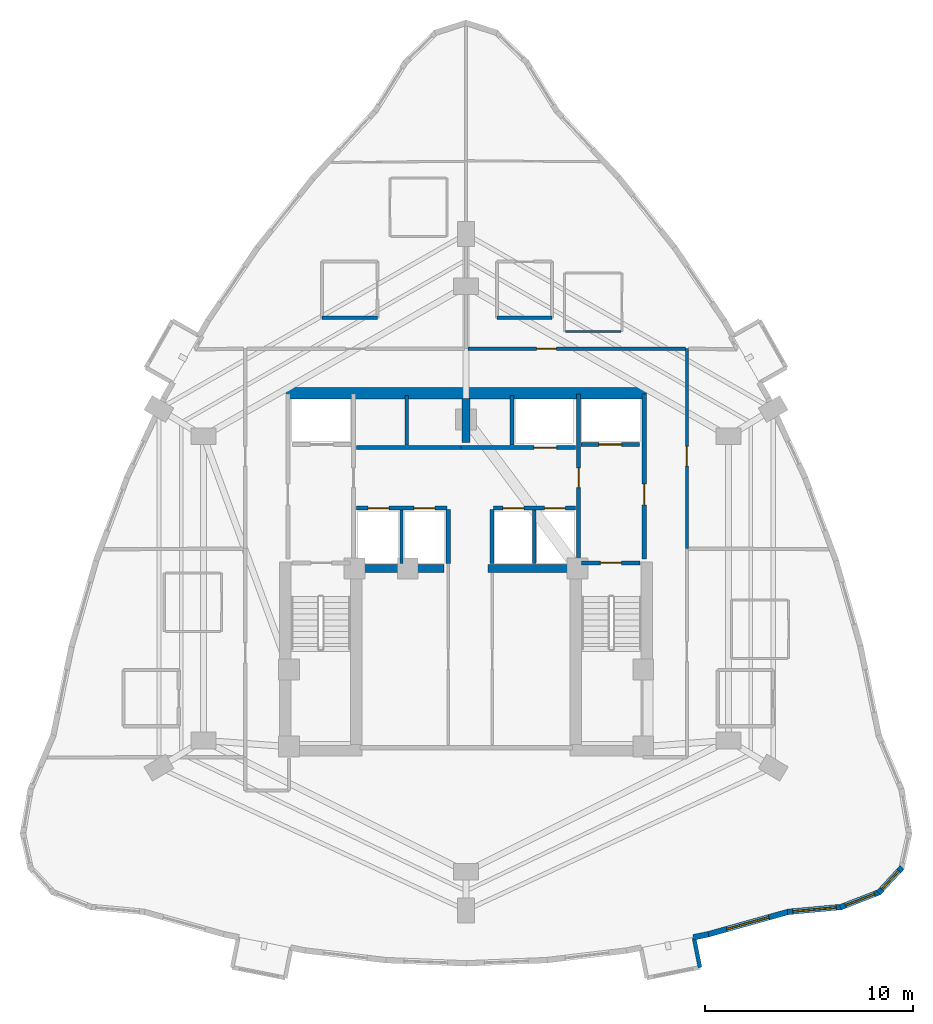
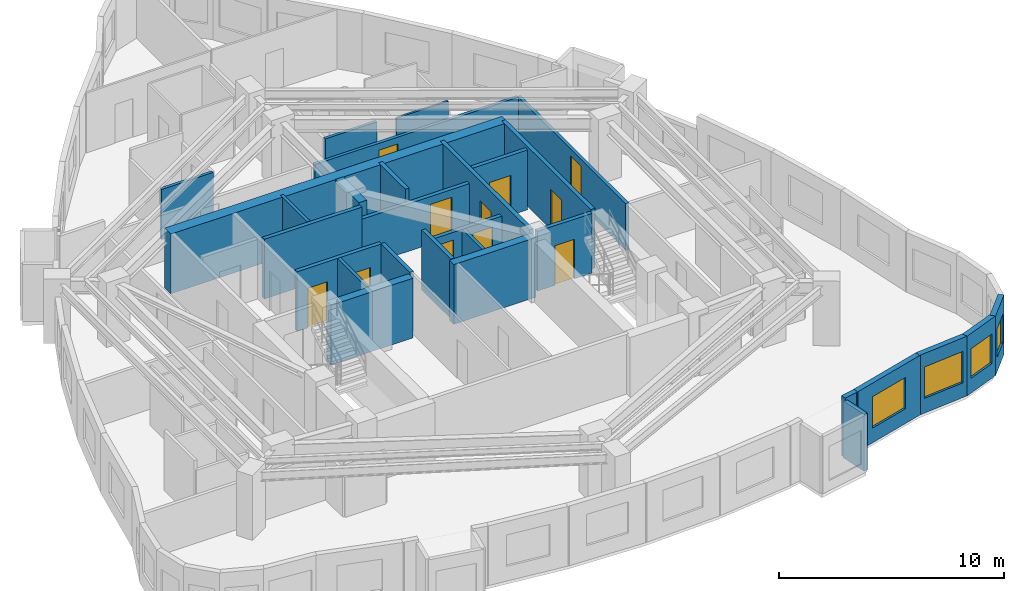
# One storey, part 7 of 10: 29 walls, 11 doors, 4 windows, 15 openings.
"""IFC4 building model written with IfcOpenShell, lengths in metres."""

from ifc_helpers import new_model, si_unit, direction, frame, frame_2d, origin, place, context, subcontext, project, spatial, rectangle, extrude, material, layer, layer_set, type_object, element, fill, save


model = new_model("IFC4")

# Units and contexts
model_context = context("Model", 3, precision=1e-05, world=origin(), true_north=direction((0.0, 1.0)))
body_context = subcontext(model_context, "Body", "Model", "MODEL_VIEW")
ifc_project = project(units=[si_unit("LENGTHUNIT", "METRE"), si_unit("AREAUNIT", "SQUARE_METRE"), si_unit("VOLUMEUNIT", "CUBIC_METRE"), si_unit("PLANEANGLEUNIT", "RADIAN"), si_unit("MASSUNIT", "GRAM", prefix="KILO")], contexts=[model_context])

# Site, building, storey
site_placement = place(None, origin())
site = spatial("IfcSite", under=ifc_project, at=site_placement, CompositionType="ELEMENT")
building_placement = place(site_placement, origin())
building = spatial("IfcBuilding", under=site, at=building_placement, Name="Miruveldt Soraemaru", CompositionType="ELEMENT")
storey_placement = place(building_placement, frame((0.0, 0.0, 166.89990234375)))
storey = spatial("IfcBuildingStorey", under=building, at=storey_placement, Name="L46", CompositionType="ELEMENT", Elevation=166.89990234375)

# Walls
ifc_material_1 = material(Name="White powder-coated aluminium EN AW-6060 T6", Category="aluminium")
ifc_layer_1 = layer(ifc_material_1, 0.18994140625, Name="White powder-coated aluminium EN AW-6060 T6", Category="aluminium")
ifc_layer_set_1 = layer_set([ifc_layer_1], Name="White powder-coated aluminium EN AW-6060 T6")
wall_type_1 = type_object("IfcWallType", Name="WALL-BAY-ALU190", PredefinedType="SOLIDWALL", material=ifc_layer_set_1)
wall_1_placement = place(storey_placement, frame((55.22412109375, 24.906005859375, 0.0), z_axis=(0.0, 0.0, 1.0), x_axis=(-0.196017281962, 0.980600441144, 0.0)))
element("IfcWall", 1, at=wall_1_placement, inside=storey, type_object=wall_type_1, Name="L46 Bay Window Side Cheek 3R", PredefinedType="SOLIDWALL", context=body_context, shape_type="SweptSolid", body=[
    extrude(rectangle(XDim=1.4248046875, YDim=0.18994140625, at=frame_2d((0.71240234375, 0.0))), origin(), (0.0, 0.0, 1.0), 3.085205078125),
])
ifc_material_2 = material(Name="Concrete C70/85 (70 MPa)", Category="concrete")
ifc_layer_2 = layer(ifc_material_2, 0.5, Name="Concrete C70/85 (70 MPa)", Category="concrete")
ifc_layer_set_2 = layer_set([ifc_layer_2], Name="Concrete C70/85 (70 MPa)")
wall_type_2 = type_object("IfcWallType", Name="WALL-BW-500", PredefinedType="SHEAR", material=ifc_layer_set_2)
wall_2_placement = place(storey_placement, frame((44.0, 50.10009765625, 0.0), z_axis=(0.0, 0.0, 1.0), x_axis=(0.0, 1.0, 0.0)))
element("IfcWall", 2, at=wall_2_placement, inside=storey, type_object=wall_type_2, Name="L46 Core Buttress Shear Wall BN", PredefinedType="SHEAR", context=body_context, shape_type="SweptSolid", body=[
    extrude(rectangle(XDim=2.099853515625, YDim=0.39990234375, at=frame_2d((1.0498046875, 0.0))), origin(), (0.0, 0.0, 1.0), 3.235107421875),
])
for number, where, z_axis, x_axis, name in (
    (3, (38.75, 44.050048828125, 0.0), (0.0, 0.0, 1.0), (1.0, 0.0, 0.0), "L46 Core Buttress Shear Wall BW"),
    (4, (45.050048828125, 44.050048828125, 0.0), (0.0, 0.0, 1.0), (1.0, 0.0, 0.0), "L46 Core Buttress Shear Wall BE"),
):
    element("IfcWall", number, at=place(storey_placement, frame(where, z_axis=z_axis, x_axis=x_axis)), inside=storey, type_object=wall_type_2, Name=name, PredefinedType="SHEAR", context=body_context, shape_type="SweptSolid", body=[
        extrude(rectangle(XDim=4.199951171875, YDim=0.39990234375, at=frame_2d((2.10009765625, 0.0))), origin(), (0.0, 0.0, 1.0), 3.235107421875),
    ])
ifc_layer_3 = layer(ifc_material_2, 0.550048828125, Name="Concrete C70/85 (70 MPa)", Category="concrete")
ifc_layer_set_3 = layer_set([ifc_layer_3], Name="Concrete C70/85 (70 MPa)")
wall_type_3 = type_object("IfcWallType", Name="WALL-CW-550", PredefinedType="SHEAR", material=ifc_layer_set_3)
wall_3_placement = place(storey_placement, frame((35.35009765625, 52.449951171875, 0.0), z_axis=(0.0, 0.0, 1.0), x_axis=(1.0, 0.0, 0.0)))
element("IfcWall", 5, at=wall_3_placement, inside=storey, type_object=wall_type_3, Name="L46 Central Core Shear Wall N", PredefinedType="SHEAR", context=body_context, shape_type="SweptSolid", body=[
    extrude(rectangle(XDim=17.2998046875, YDim=0.550048828125, at=frame_2d((8.64990234375, 0.0))), origin(), (0.0, 0.0, 1.0), 3.235107421875),
])
ifc_material_3 = material(Name="Precast concrete C45/55 (45 MPa)", Category="concrete")
ifc_layer_4 = layer(ifc_material_3, 0.27001953125, Name="Precast concrete C45/55 (45 MPa)", Category="concrete")
ifc_layer_set_4 = layer_set([ifc_layer_4], Name="Precast concrete C45/55 (45 MPa)")
wall_type_4 = type_object("IfcWallType", Name="WALL-EXT-PC270", PredefinedType="SOLIDWALL", material=ifc_layer_set_4)
wall_4_placement = place(storey_placement, frame((54.904541015625, 26.351318359375, 0.0), z_axis=(0.0, 0.0, 1.0), x_axis=(0.980555124768, 0.196243846508, 0.0)))
element("IfcWall", 6, at=wall_4_placement, inside=storey, type_object=wall_type_4, Name="L46 Precast Pier Wall 27B", PredefinedType="SOLIDWALL", context=body_context, shape_type="SweptSolid", body=[
    extrude(rectangle(XDim=0.7353515625, YDim=0.27001953125, at=frame_2d((0.36767578125, 0.0))), origin(), (0.0, 0.0, 1.0), 3.235107421875),
])

# Wall, opening, window
wall_5_placement = place(storey_placement, frame((55.557373046875, 26.479248046875, 0.0), z_axis=(0.0, 0.0, 1.0), x_axis=(0.962968367647, 0.269614396705, 0.0)))
wall_5 = element("IfcWall", 7, at=wall_5_placement, inside=storey, type_object=wall_type_4, Name="L46 Precast Concrete Facade Wall 28", PredefinedType="SOLIDWALL", context=body_context, shape_type="SweptSolid", body=[
    extrude(rectangle(XDim=4.08203125, YDim=0.27001953125, at=frame_2d((2.041015625, 0.0))), origin(), (0.0, 0.0, 1.0), 3.235107421875),
])
opening_1_placement = place(wall_5_placement, frame((0.990966796875, 0.0, 0.800048828125)))
opening_1 = element("IfcOpeningElement", 8, at=opening_1_placement, cuts=wall_5, Name="Opening WN-1", PredefinedType="OPENING", context=body_context, shape_type="SweptSolid", body=[
    extrude(rectangle(XDim=2.10009765625, YDim=1.699951171875, at=frame_2d((1.050048828125, 0.85009765625))), frame((0.0, 0.14501953125, 0.0), z_axis=(0.0, -1.0, 0.0), x_axis=(1.0, 0.0, 0.0)), (0.0, 0.0, 1.0), 0.2900390625),
])
ifc_material_4 = material(Name="Triple low-e insulated glazing", Category="glass")
window_type_1 = type_object("IfcWindowType", Name="WIN-PUNCH-2100x1700", PartitioningType="SINGLE_PANEL", PredefinedType="WINDOW", material=ifc_material_4)
window_1_placement = place(opening_1_placement, origin())
window_1 = element("IfcWindow", 9, at=window_1_placement, inside=storey, type_object=window_type_1, Name="L46 Punched Triple-Glazed Window 28.1", OverallHeight=1.699951171875, OverallWidth=2.10009765625, PartitioningType="SINGLE_PANEL", PredefinedType="WINDOW", context=body_context, shape_type="SweptSolid", body=[
    extrude(rectangle(XDim=2.10009765625, YDim=1.699951171875, at=frame_2d((1.050048828125, 0.85009765625))), frame((0.0, 0.030029296875, 0.0), z_axis=(0.0, -1.0, 0.0), x_axis=(1.0, 0.0, 0.0)), (0.0, 0.0, 1.0), 0.06005859375),
])
fill(opening_1, window_1)

wall_6_placement = place(storey_placement, frame((59.419921875, 27.5673828125, 0.0), z_axis=(0.0, 0.0, 1.0), x_axis=(0.995762483842, 0.091962360632, 0.0)))
wall_6 = element("IfcWall", 10, at=wall_6_placement, inside=storey, type_object=wall_type_4, Name="L46 Precast Concrete Facade Wall 29", PredefinedType="SOLIDWALL", context=body_context, shape_type="SweptSolid", body=[
    extrude(rectangle(XDim=2.623046875, YDim=0.27001953125, at=frame_2d((1.3115234375, 0.0))), origin(), (0.0, 0.0, 1.0), 3.235107421875),
])
opening_2_placement = place(wall_6_placement, frame((0.261962890625, 0.0, 0.800048828125)))
opening_2 = element("IfcOpeningElement", 11, at=opening_2_placement, cuts=wall_6, Name="Opening WN-1", PredefinedType="OPENING", context=body_context, shape_type="SweptSolid", body=[
    extrude(rectangle(XDim=2.10009765625, YDim=1.699951171875, at=frame_2d((1.050048828125, 0.85009765625))), frame((0.0, 0.14501953125, 0.0), z_axis=(0.0, -1.0, 0.0), x_axis=(1.0, 0.0, 0.0)), (0.0, 0.0, 1.0), 0.2900390625),
])
window_2_placement = place(opening_2_placement, origin())
window_2 = element("IfcWindow", 12, at=window_2_placement, inside=storey, type_object=window_type_1, Name="L46 Punched Triple-Glazed Window 29.1", OverallHeight=1.699951171875, OverallWidth=2.10009765625, PartitioningType="SINGLE_PANEL", PredefinedType="WINDOW", context=body_context, shape_type="SweptSolid", body=[
    extrude(rectangle(XDim=2.10009765625, YDim=1.699951171875, at=frame_2d((1.050048828125, 0.85009765625))), frame((0.0, 0.030029296875, 0.0), z_axis=(0.0, -1.0, 0.0), x_axis=(1.0, 0.0, 0.0)), (0.0, 0.0, 1.0), 0.06005859375),
])
fill(opening_2, window_2)

wall_7_placement = place(storey_placement, frame((61.96435546875, 27.79248046875, 0.0), z_axis=(0.0, 0.0, 1.0), x_axis=(0.932249719416, 0.361815506367, 0.0)))
wall_7 = element("IfcWall", 13, at=wall_7_placement, inside=storey, type_object=wall_type_4, Name="L46 Precast Concrete Facade Wall 30", PredefinedType="SOLIDWALL", context=body_context, shape_type="SweptSolid", body=[
    extrude(rectangle(XDim=2.017578125, YDim=0.27001953125, at=frame_2d((1.0087890625, 0.0))), origin(), (0.0, 0.0, 1.0), 3.235107421875),
])
opening_3_placement = place(wall_7_placement, frame((0.259033203125, 0.0, 0.800048828125)))
opening_3 = element("IfcOpeningElement", 14, at=opening_3_placement, cuts=wall_7, Name="Opening WN-3", PredefinedType="OPENING", context=body_context, shape_type="SweptSolid", body=[
    extrude(rectangle(XDim=1.5, YDim=1.60009765625, at=frame_2d((0.75, 0.800048828125))), frame((0.0, 0.14501953125, 0.0), z_axis=(0.0, -1.0, 0.0), x_axis=(1.0, 0.0, 0.0)), (0.0, 0.0, 1.0), 0.2900390625),
])
window_type_2 = type_object("IfcWindowType", Name="WIN-PUNCH-1500x1600", PartitioningType="SINGLE_PANEL", PredefinedType="WINDOW", material=ifc_material_4)
window_3_placement = place(opening_3_placement, origin())
window_3 = element("IfcWindow", 15, at=window_3_placement, inside=storey, type_object=window_type_2, Name="L46 Punched Triple-Glazed Window 30.1", OverallHeight=1.60009765625, OverallWidth=1.5, PartitioningType="SINGLE_PANEL", PredefinedType="WINDOW", context=body_context, shape_type="SweptSolid", body=[
    extrude(rectangle(XDim=1.5, YDim=1.60009765625, at=frame_2d((0.75, 0.800048828125))), frame((0.0, 0.030029296875, 0.0), z_axis=(0.0, -1.0, 0.0), x_axis=(1.0, 0.0, 0.0)), (0.0, 0.0, 1.0), 0.06005859375),
])
fill(opening_3, window_3)

wall_8_placement = place(storey_placement, frame((63.788818359375, 28.484130859375, 0.0), z_axis=(0.0, 0.0, 1.0), x_axis=(0.680182208432, 0.733043084227, 0.0)))
wall_8 = element("IfcWall", 16, at=wall_8_placement, inside=storey, type_object=wall_type_4, Name="L46 Precast Concrete Facade Wall 31", PredefinedType="SOLIDWALL", context=body_context, shape_type="SweptSolid", body=[
    extrude(rectangle(XDim=1.671875, YDim=0.27001953125, at=frame_2d((0.8359375, 0.0))), origin(), (0.0, 0.0, 1.0), 3.235107421875),
])
opening_4_placement = place(wall_8_placement, frame((0.236083984375, 0.0, 0.780029296875)))
opening_4 = element("IfcOpeningElement", 17, at=opening_4_placement, cuts=wall_8, Name="Opening WN-4", PredefinedType="OPENING", context=body_context, shape_type="SweptSolid", body=[
    extrude(rectangle(XDim=1.199951171875, YDim=1.550048828125, at=frame_2d((0.60009765625, 0.77490234375))), frame((0.0, 0.14501953125, 0.0), z_axis=(0.0, -1.0, 0.0), x_axis=(1.0, 0.0, 0.0)), (0.0, 0.0, 1.0), 0.2900390625),
])
window_type_3 = type_object("IfcWindowType", Name="WIN-PUNCH-1200x1550", PartitioningType="SINGLE_PANEL", PredefinedType="WINDOW", material=ifc_material_4)
window_4_placement = place(opening_4_placement, origin())
window_4 = element("IfcWindow", 18, at=window_4_placement, inside=storey, type_object=window_type_3, Name="L46 Punched Triple-Glazed Window 31.1", OverallHeight=1.550048828125, OverallWidth=1.199951171875, PartitioningType="SINGLE_PANEL", PredefinedType="WINDOW", context=body_context, shape_type="SweptSolid", body=[
    extrude(rectangle(XDim=1.199951171875, YDim=1.550048828125, at=frame_2d((0.60009765625, 0.77490234375))), frame((0.0, 0.030029296875, 0.0), z_axis=(0.0, -1.0, 0.0), x_axis=(1.0, 0.0, 0.0)), (0.0, 0.0, 1.0), 0.06005859375),
])
fill(opening_4, window_4)

# Walls
ifc_material_5 = material(Name="Gypsum plasterboard lining", Category="gypsum")
ifc_layer_5 = layer(ifc_material_5, 0.10009765625, Name="Gypsum plasterboard lining", Category="gypsum")
ifc_layer_set_5 = layer_set([ifc_layer_5], Name="Gypsum plasterboard lining")
wall_type_5 = type_object("IfcWallType", Name="WALL-INT-P100", PredefinedType="PARTITIONING", material=ifc_layer_set_5)
wall_9_placement = place(storey_placement, frame((48.780029296875, 55.429931640625, 0.0), z_axis=(0.0, 0.0, 1.0), x_axis=(1.0, 0.0, 0.0)))
element("IfcWall", 19, at=wall_9_placement, inside=storey, type_object=wall_type_5, Name="L46 Partition Wall 30", PredefinedType="PARTITIONING", context=body_context, shape_type="SweptSolid", body=[
    extrude(rectangle(XDim=2.64990234375, YDim=0.10009765625, at=frame_2d((1.324951171875, 0.0))), origin(), (0.0, 0.0, 1.0), 2.873046875),
])
ifc_layer_6 = layer(ifc_material_5, 0.14990234375, Name="Gypsum plasterboard lining", Category="gypsum")
ifc_layer_set_6 = layer_set([ifc_layer_6], Name="Gypsum plasterboard lining")
wall_type_6 = type_object("IfcWallType", Name="WALL-INT-PLUMB", PredefinedType="PLUMBINGWALL", material=ifc_layer_set_6)
wall_10_placement = place(storey_placement, frame((45.47998046875, 56.080078125, 0.0), z_axis=(0.0, 0.0, 1.0), x_axis=(1.0, 0.0, 0.0)))
element("IfcWall", 20, at=wall_10_placement, inside=storey, type_object=wall_type_6, Name="L46 Partition Wall 26", PredefinedType="PLUMBINGWALL", context=body_context, shape_type="SweptSolid", body=[
    extrude(rectangle(XDim=2.64990234375, YDim=0.14990234375, at=frame_2d((1.324951171875, 0.0))), origin(), (0.0, 0.0, 1.0), 2.523193359375),
])
wall_11_placement = place(storey_placement, frame((37.092041015625, 56.080078125, 0.0), z_axis=(0.0, 0.0, 1.0), x_axis=(1.0, 0.0, 0.0)))
element("IfcWall", 21, at=wall_11_placement, inside=storey, type_object=wall_type_6, Name="L46 Partition Wall 14", PredefinedType="PLUMBINGWALL", context=body_context, shape_type="SweptSolid", body=[
    extrude(rectangle(XDim=2.64990234375, YDim=0.14990234375, at=frame_2d((1.324951171875, 0.0))), origin(), (0.0, 0.0, 1.0), 2.72314453125),
])

# Wall, opening, door
ifc_material_6 = material(Name="Concrete C40/50 (40 MPa)", Category="concrete")
ifc_layer_7 = layer(ifc_material_6, 0.159912109375, Name="Concrete C40/50 (40 MPa)", Category="concrete")
ifc_layer_set_7 = layer_set([ifc_layer_7], Name="Concrete C40/50 (40 MPa)")
wall_type_7 = type_object("IfcWallType", Name="WALL-INT-RC160", PredefinedType="SOLIDWALL", material=ifc_layer_set_7)
wall_12_placement = place(storey_placement, frame((54.52001953125, 54.60009765625, 0.0), z_axis=(0.0, 0.0, 1.0), x_axis=(-1.0, 0.0, 0.0)))
wall_12 = element("IfcWall", 22, at=wall_12_placement, inside=storey, type_object=wall_type_7, Name="L46 Partition Wall 2", PredefinedType="SOLIDWALL", context=body_context, shape_type="SweptSolid", body=[
    extrude(rectangle(XDim=10.43701171875, YDim=0.159912109375, at=frame_2d((5.218505859375, 0.0))), origin(), (0.0, 0.0, 1.0), 2.523193359375),
])
opening_5_placement = place(wall_12_placement, frame((6.18408203125, 0.0, 0.0)))
opening_5 = element("IfcOpeningElement", 23, at=opening_5_placement, cuts=wall_12, Name="Opening FD2", PredefinedType="OPENING", context=body_context, shape_type="SweptSolid", body=[
    extrude(rectangle(XDim=0.949951171875, YDim=2.14990234375, at=frame_2d((0.47509765625, 1.074951171875))), frame((0.0, 0.08984375, 0.0), z_axis=(0.0, -1.0, 0.0), x_axis=(1.0, 0.0, 0.0)), (0.0, 0.0, 1.0), 0.179931640625),
])
ifc_material_7 = material(Name="Anodised aluminium EN AW-6063 T6", Category="aluminium")
door_type_1 = type_object("IfcDoorType", Name="DOOR-FD2-950", OperationType="NOTDEFINED", PredefinedType="DOOR", material=ifc_material_7)
door_1_placement = place(opening_5_placement, origin())
door_1 = element("IfcDoor", 24, at=door_1_placement, inside=storey, type_object=door_type_1, Name="L46 Unit 4602 Entrance Fire Door", OperationType="SINGLE_SWING_RIGHT", OverallHeight=2.14990234375, OverallWidth=0.949951171875, PredefinedType="DOOR", context=body_context, shape_type="SweptSolid", body=[
    extrude(rectangle(XDim=0.949951171875, YDim=2.14990234375, at=frame_2d((0.47509765625, 1.074951171875))), frame((0.0, 0.02490234375, 0.0), z_axis=(0.0, -1.0, 0.0), x_axis=(1.0, 0.0, 0.0)), (0.0, 0.0, 1.0), 0.050048828125),
])
fill(opening_5, door_1)

wall_13_placement = place(storey_placement, frame((54.60009765625, 45.0, 0.0), z_axis=(0.0, 0.0, 1.0), x_axis=(0.0, 1.0, 0.0)))
wall_13 = element("IfcWall", 25, at=wall_13_placement, inside=storey, type_object=wall_type_7, Name="L46 Partition Wall 5", PredefinedType="SOLIDWALL", context=body_context, shape_type="SweptSolid", body=[
    extrude(rectangle(XDim=9.60009765625, YDim=0.159912109375, at=frame_2d((4.800048828125, 0.0))), origin(), (0.0, 0.0, 1.0), 2.523193359375),
])
opening_6_placement = place(wall_13_placement, frame((3.965087890625, 0.0, 0.0)))
opening_6 = element("IfcOpeningElement", 26, at=opening_6_placement, cuts=wall_13, Name="Opening FD2", PredefinedType="OPENING", context=body_context, shape_type="SweptSolid", body=[
    extrude(rectangle(XDim=0.949951171875, YDim=2.14990234375, at=frame_2d((0.47509765625, 1.074951171875))), frame((0.0, 0.08984375, 0.0), z_axis=(0.0, -1.0, 0.0), x_axis=(1.0, 0.0, 0.0)), (0.0, 0.0, 1.0), 0.179931640625),
])
door_2_placement = place(opening_6_placement, origin())
door_2 = element("IfcDoor", 27, at=door_2_placement, inside=storey, type_object=door_type_1, Name="L46 Unit CL05 Entrance Fire Door", OperationType="SINGLE_SWING_RIGHT", OverallHeight=2.14990234375, OverallWidth=0.949951171875, PredefinedType="DOOR", context=body_context, shape_type="SweptSolid", body=[
    extrude(rectangle(XDim=0.949951171875, YDim=2.14990234375, at=frame_2d((0.47509765625, 1.074951171875))), frame((0.0, 0.02490234375, 0.0), z_axis=(0.0, -1.0, 0.0), x_axis=(1.0, 0.0, 0.0)), (0.0, 0.0, 1.0), 0.050048828125),
])
fill(opening_6, door_2)

# Walls
wall_14_placement = place(storey_placement, frame((40.89990234375, 44.300048828125, 0.0), z_axis=(0.0, 0.0, 1.0), x_axis=(0.0, 1.0, 0.0)))
element("IfcWall", 28, at=wall_14_placement, inside=storey, type_object=wall_type_7, Name="L46 Core Compartment Wall PLM-DW", PredefinedType="SOLIDWALL", context=body_context, shape_type="SweptSolid", body=[
    extrude(rectangle(XDim=2.550048828125, YDim=0.159912109375, at=frame_2d((1.27490234375, 0.0))), origin(), (0.0, 0.0, 1.0), 3.235107421875),
])
wall_15_placement = place(storey_placement, frame((47.280029296875, 44.300048828125, 0.0), z_axis=(0.0, 0.0, 1.0), x_axis=(0.0, 1.0, 0.0)))
element("IfcWall", 29, at=wall_15_placement, inside=storey, type_object=wall_type_7, Name="L46 Core Compartment Wall PLM-DE", PredefinedType="SOLIDWALL", context=body_context, shape_type="SweptSolid", body=[
    extrude(rectangle(XDim=2.550048828125, YDim=0.159912109375, at=frame_2d((1.27490234375, 0.0))), origin(), (0.0, 0.0, 1.0), 2.572998046875),
])
wall_16_placement = place(storey_placement, frame((41.14990234375, 49.97998046875, 0.0), z_axis=(0.0, 0.0, 1.0), x_axis=(0.0, 1.0, 0.0)))
element("IfcWall", 30, at=wall_16_placement, inside=storey, type_object=wall_type_7, Name="L46 Core Compartment Wall PLH-DIV1", PredefinedType="SOLIDWALL", context=body_context, shape_type="SweptSolid", body=[
    extrude(rectangle(XDim=2.3701171875, YDim=0.159912109375, at=frame_2d((1.18505859375, 0.0))), origin(), (0.0, 0.0, 1.0), 3.235107421875),
])

# Wall, opening, door
ifc_layer_8 = layer(ifc_material_6, 0.199951171875, Name="Concrete C40/50 (40 MPa)", Category="concrete")
ifc_layer_set_8 = layer_set([ifc_layer_8], Name="Concrete C40/50 (40 MPa)")
wall_type_8 = type_object("IfcWallType", Name="WALL-INT-RC200", PredefinedType="SOLIDWALL", material=ifc_layer_set_8)
wall_17_placement = place(storey_placement, frame((52.550048828125, 44.5, 0.0), z_axis=(0.0, 0.0, 1.0), x_axis=(0.0, 1.0, 0.0)))
wall_17 = element("IfcWall", 31, at=wall_17_placement, inside=storey, type_object=wall_type_8, Name="L46 Core Compartment Wall FFE-OUT", PredefinedType="SOLIDWALL", context=body_context, shape_type="SweptSolid", body=[
    extrude(rectangle(XDim=7.919921875, YDim=0.199951171875, at=frame_2d((3.9599609375, 0.0))), origin(), (0.0, 0.0, 1.0), 3.235107421875),
])
opening_7_placement = place(wall_17_placement, frame((2.60009765625, 0.0, 0.0)))
opening_7 = element("IfcOpeningElement", 32, at=opening_7_placement, cuts=wall_17, Name="Opening FD1", PredefinedType="OPENING", context=body_context, shape_type="SweptSolid", body=[
    extrude(rectangle(XDim=1.0, YDim=2.14990234375, at=frame_2d((0.5, 1.074951171875))), frame((0.0, 0.10986328125, 0.0), z_axis=(0.0, -1.0, 0.0), x_axis=(1.0, 0.0, 0.0)), (0.0, 0.0, 1.0), 0.219970703125),
])
door_type_2 = type_object("IfcDoorType", Name="DOOR-FD1-1000", OperationType="NOTDEFINED", PredefinedType="DOOR", material=ifc_material_7)
door_3_placement = place(opening_7_placement, frame((1.0, 0.0, 0.0), z_axis=(0.0, 0.0, 1.0), x_axis=(-1.0, 0.0, 0.0)))
door_3 = element("IfcDoor", 33, at=door_3_placement, inside=storey, type_object=door_type_2, Name="L46 East Firefighting Lobby Exit Door", OperationType="SINGLE_SWING_RIGHT", OverallHeight=2.14990234375, OverallWidth=1.0, PredefinedType="DOOR", context=body_context, shape_type="SweptSolid", body=[
    extrude(rectangle(XDim=1.0, YDim=2.14990234375, at=frame_2d((0.5, 1.074951171875))), frame((0.0, 0.02490234375, 0.0), z_axis=(0.0, -1.0, 0.0), x_axis=(1.0, 0.0, 0.0)), (0.0, 0.0, 1.0), 0.050048828125),
])
fill(opening_7, door_3)

wall_18_placement = place(storey_placement, frame((49.39990234375, 44.5, 0.0), z_axis=(0.0, 0.0, 1.0), x_axis=(0.0, 1.0, 0.0)))
wall_18 = element("IfcWall", 34, at=wall_18_placement, inside=storey, type_object=wall_type_8, Name="L46 Core Compartment Wall FFE-IN", PredefinedType="SOLIDWALL", context=body_context, shape_type="SweptSolid", body=[
    extrude(rectangle(XDim=7.919921875, YDim=0.199951171875, at=frame_2d((3.9599609375, 0.0))), origin(), (0.0, 0.0, 1.0), 3.235107421875),
])
opening_8_placement = place(wall_18_placement, frame((3.425048828125, 0.0, 0.0)))
opening_8 = element("IfcOpeningElement", 35, at=opening_8_placement, cuts=wall_18, Name="Opening FD2", PredefinedType="OPENING", context=body_context, shape_type="SweptSolid", body=[
    extrude(rectangle(XDim=0.949951171875, YDim=2.14990234375, at=frame_2d((0.47509765625, 1.074951171875))), frame((0.0, 0.10986328125, 0.0), z_axis=(0.0, -1.0, 0.0), x_axis=(1.0, 0.0, 0.0)), (0.0, 0.0, 1.0), 0.219970703125),
])
door_4_placement = place(opening_8_placement, origin())
door_4 = element("IfcDoor", 36, at=door_4_placement, inside=storey, type_object=door_type_1, Name="L46 Lift Lobby to East Fire Lobby Door", OperationType="SINGLE_SWING_LEFT", OverallHeight=2.14990234375, OverallWidth=0.949951171875, PredefinedType="DOOR", context=body_context, shape_type="SweptSolid", body=[
    extrude(rectangle(XDim=0.949951171875, YDim=2.14990234375, at=frame_2d((0.47509765625, 1.074951171875))), frame((0.0, 0.02490234375, 0.0), z_axis=(0.0, -1.0, 0.0), x_axis=(1.0, 0.0, 0.0)), (0.0, 0.0, 1.0), 0.050048828125),
])
fill(opening_8, door_4)

wall_19_placement = place(storey_placement, frame((43.75, 49.85009765625, 0.0), z_axis=(0.0, 0.0, 1.0), x_axis=(1.0, 0.0, 0.0)))
wall_19 = element("IfcWall", 37, at=wall_19_placement, inside=storey, type_object=wall_type_8, Name="L46 Core Compartment Wall ROWA-SE", PredefinedType="SOLIDWALL", context=body_context, shape_type="SweptSolid", body=[
    extrude(rectangle(XDim=5.5, YDim=0.199951171875, at=frame_2d((2.75, 0.0))), origin(), (0.0, 0.0, 1.0), 2.572998046875),
])
opening_9_placement = place(wall_19_placement, frame((3.5, 0.0, 0.0)))
opening_9 = element("IfcOpeningElement", 38, at=opening_9_placement, cuts=wall_19, Name="Opening LD2", PredefinedType="OPENING", context=body_context, shape_type="SweptSolid", body=[
    extrude(rectangle(XDim=1.10009765625, YDim=2.14990234375, at=frame_2d((0.550048828125, 1.074951171875))), frame((0.0, 0.10986328125, 0.0), z_axis=(0.0, -1.0, 0.0), x_axis=(1.0, 0.0, 0.0)), (0.0, 0.0, 1.0), 0.219970703125),
])
door_type_3 = type_object("IfcDoorType", Name="DOOR-LD2-1100", OperationType="SLIDING_TO_LEFT", PredefinedType="DOOR", material=ifc_material_7)
door_5_placement = place(opening_9_placement, origin())
door_5 = element("IfcDoor", 39, at=door_5_placement, inside=storey, type_object=door_type_3, Name="L46 SL-1 Landing Door", OperationType="SLIDING_TO_LEFT", OverallHeight=2.14990234375, OverallWidth=1.10009765625, PredefinedType="DOOR", context=body_context, shape_type="SweptSolid", body=[
    extrude(rectangle(XDim=1.10009765625, YDim=2.14990234375, at=frame_2d((0.550048828125, 1.074951171875))), frame((0.0, 0.02490234375, 0.0), z_axis=(0.0, -1.0, 0.0), x_axis=(1.0, 0.0, 0.0)), (0.0, 0.0, 1.0), 0.050048828125),
])
fill(opening_9, door_5)

# Wall, openings, doors
wall_20_placement = place(storey_placement, frame((38.75, 46.949951171875, 0.0), z_axis=(0.0, 0.0, 1.0), x_axis=(1.0, 0.0, 0.0)))
wall_20 = element("IfcWall", 40, at=wall_20_placement, inside=storey, type_object=wall_type_8, Name="L46 Core Compartment Wall MBW-N", PredefinedType="SOLIDWALL", context=body_context, shape_type="SweptSolid", body=[
    extrude(rectangle(XDim=4.330078125, YDim=0.199951171875, at=frame_2d((2.1650390625, 0.0))), origin(), (0.0, 0.0, 1.0), 3.235107421875),
])
opening_10_placement = place(wall_20_placement, frame((0.550048828125, 0.0, 0.0)))
opening_10 = element("IfcOpeningElement", 41, at=opening_10_placement, cuts=wall_20, Name="Opening LD1B", PredefinedType="OPENING", context=body_context, shape_type="SweptSolid", body=[
    extrude(rectangle(XDim=1.0, YDim=2.14990234375, at=frame_2d((0.5, 1.074951171875))), frame((0.0, 0.10986328125, 0.0), z_axis=(0.0, -1.0, 0.0), x_axis=(1.0, 0.0, 0.0)), (0.0, 0.0, 1.0), 0.219970703125),
])
opening_11_placement = place(wall_20_placement, frame((2.75, 0.0, 0.0)))
opening_11 = element("IfcOpeningElement", 42, at=opening_11_placement, cuts=wall_20, Name="Opening LD1B", PredefinedType="OPENING", context=body_context, shape_type="SweptSolid", body=[
    extrude(rectangle(XDim=1.0, YDim=2.14990234375, at=frame_2d((0.5, 1.074951171875))), frame((0.0, 0.10986328125, 0.0), z_axis=(0.0, -1.0, 0.0), x_axis=(1.0, 0.0, 0.0)), (0.0, 0.0, 1.0), 0.219970703125),
])
door_type_4 = type_object("IfcDoorType", Name="DOOR-LD1-1000", OperationType="SLIDING_TO_LEFT", PredefinedType="DOOR", material=ifc_material_7)
door_6_placement = place(opening_10_placement, origin())
door_6 = element("IfcDoor", 43, at=door_6_placement, inside=storey, type_object=door_type_4, Name="L46 PL-M1 Landing Door", OperationType="SLIDING_TO_LEFT", OverallHeight=2.14990234375, OverallWidth=1.0, PredefinedType="DOOR", context=body_context, shape_type="SweptSolid", body=[
    extrude(rectangle(XDim=1.0, YDim=2.14990234375, at=frame_2d((0.5, 1.074951171875))), frame((0.0, 0.02490234375, 0.0), z_axis=(0.0, -1.0, 0.0), x_axis=(1.0, 0.0, 0.0)), (0.0, 0.0, 1.0), 0.050048828125),
])
fill(opening_10, door_6)
door_7_placement = place(opening_11_placement, origin())
door_7 = element("IfcDoor", 44, at=door_7_placement, inside=storey, type_object=door_type_4, Name="L46 PL-M2 Landing Door", OperationType="SLIDING_TO_LEFT", OverallHeight=2.14990234375, OverallWidth=1.0, PredefinedType="DOOR", context=body_context, shape_type="SweptSolid", body=[
    extrude(rectangle(XDim=1.0, YDim=2.14990234375, at=frame_2d((0.5, 1.074951171875))), frame((0.0, 0.02490234375, 0.0), z_axis=(0.0, -1.0, 0.0), x_axis=(1.0, 0.0, 0.0)), (0.0, 0.0, 1.0), 0.050048828125),
])
fill(opening_11, door_7)

wall_21_placement = place(storey_placement, frame((45.320068359375, 46.949951171875, 0.0), z_axis=(0.0, 0.0, 1.0), x_axis=(1.0, 0.0, 0.0)))
wall_21 = element("IfcWall", 45, at=wall_21_placement, inside=storey, type_object=wall_type_8, Name="L46 Core Compartment Wall MBE-N", PredefinedType="SOLIDWALL", context=body_context, shape_type="SweptSolid", body=[
    extrude(rectangle(XDim=3.929931640625, YDim=0.199951171875, at=frame_2d((1.96484375, 0.0))), origin(), (0.0, 0.0, 1.0), 2.572998046875),
])
opening_12_placement = place(wall_21_placement, frame((0.449951171875, 0.0, 0.0)))
opening_12 = element("IfcOpeningElement", 46, at=opening_12_placement, cuts=wall_21, Name="Opening LD1B", PredefinedType="OPENING", context=body_context, shape_type="SweptSolid", body=[
    extrude(rectangle(XDim=1.0, YDim=2.14990234375, at=frame_2d((0.5, 1.074951171875))), frame((0.0, 0.10986328125, 0.0), z_axis=(0.0, -1.0, 0.0), x_axis=(1.0, 0.0, 0.0)), (0.0, 0.0, 1.0), 0.219970703125),
])
opening_13_placement = place(wall_21_placement, frame((2.449951171875, 0.0, 0.0)))
opening_13 = element("IfcOpeningElement", 47, at=opening_13_placement, cuts=wall_21, Name="Opening LD1B", PredefinedType="OPENING", context=body_context, shape_type="SweptSolid", body=[
    extrude(rectangle(XDim=1.0, YDim=2.14990234375, at=frame_2d((0.5, 1.074951171875))), frame((0.0, 0.10986328125, 0.0), z_axis=(0.0, -1.0, 0.0), x_axis=(1.0, 0.0, 0.0)), (0.0, 0.0, 1.0), 0.219970703125),
])
door_8_placement = place(opening_12_placement, origin())
door_8 = element("IfcDoor", 48, at=door_8_placement, inside=storey, type_object=door_type_4, Name="L46 PL-M3 Landing Door", OperationType="SLIDING_TO_LEFT", OverallHeight=2.14990234375, OverallWidth=1.0, PredefinedType="DOOR", context=body_context, shape_type="SweptSolid", body=[
    extrude(rectangle(XDim=1.0, YDim=2.14990234375, at=frame_2d((0.5, 1.074951171875))), frame((0.0, 0.02490234375, 0.0), z_axis=(0.0, -1.0, 0.0), x_axis=(1.0, 0.0, 0.0)), (0.0, 0.0, 1.0), 0.050048828125),
])
fill(opening_12, door_8)
door_9_placement = place(opening_13_placement, origin())
door_9 = element("IfcDoor", 49, at=door_9_placement, inside=storey, type_object=door_type_4, Name="L46 PL-M4 Landing Door", OperationType="SLIDING_TO_LEFT", OverallHeight=2.14990234375, OverallWidth=1.0, PredefinedType="DOOR", context=body_context, shape_type="SweptSolid", body=[
    extrude(rectangle(XDim=1.0, YDim=2.14990234375, at=frame_2d((0.5, 1.074951171875))), frame((0.0, 0.02490234375, 0.0), z_axis=(0.0, -1.0, 0.0), x_axis=(1.0, 0.0, 0.0)), (0.0, 0.0, 1.0), 0.050048828125),
])
fill(opening_13, door_9)

# Wall, opening, door
wall_22_placement = place(storey_placement, frame((49.550048828125, 44.320068359375, 0.0), z_axis=(0.0, 0.0, 1.0), x_axis=(1.0, 0.0, 0.0)))
wall_22 = element("IfcWall", 50, at=wall_22_placement, inside=storey, type_object=wall_type_8, Name="L46 Core Compartment Wall ST2-N", PredefinedType="SOLIDWALL", context=body_context, shape_type="SweptSolid", body=[
    extrude(rectangle(XDim=2.800048828125, YDim=0.199951171875, at=frame_2d((1.39990234375, 0.0))), origin(), (0.0, 0.0, 1.0), 3.235107421875),
])
opening_14_placement = place(wall_22_placement, frame((0.89990234375, 0.0, 0.0)))
opening_14 = element("IfcOpeningElement", 51, at=opening_14_placement, cuts=wall_22, Name="Opening FD1", PredefinedType="OPENING", context=body_context, shape_type="SweptSolid", body=[
    extrude(rectangle(XDim=1.0, YDim=2.14990234375, at=frame_2d((0.5, 1.074951171875))), frame((0.0, 0.10986328125, 0.0), z_axis=(0.0, -1.0, 0.0), x_axis=(1.0, 0.0, 0.0)), (0.0, 0.0, 1.0), 0.219970703125),
])
door_10_placement = place(opening_14_placement, frame((1.0, 0.0, 0.0), z_axis=(0.0, 0.0, 1.0), x_axis=(-1.0, 0.0, 0.0)))
door_10 = element("IfcDoor", 52, at=door_10_placement, inside=storey, type_object=door_type_2, Name="L46 Stair ST-2 Fire Door", OperationType="SINGLE_SWING_RIGHT", OverallHeight=2.14990234375, OverallWidth=1.0, PredefinedType="DOOR", context=body_context, shape_type="SweptSolid", body=[
    extrude(rectangle(XDim=1.0, YDim=2.14990234375, at=frame_2d((0.5, 1.074951171875))), frame((0.0, 0.02490234375, 0.0), z_axis=(0.0, -1.0, 0.0), x_axis=(1.0, 0.0, 0.0)), (0.0, 0.0, 1.0), 0.050048828125),
])
fill(opening_14, door_10)

wall_23_placement = place(storey_placement, frame((49.52001953125, 50.0, 0.0), z_axis=(0.0, 0.0, 1.0), x_axis=(1.0, 0.0, 0.0)))
wall_23 = element("IfcWall", 53, at=wall_23_placement, inside=storey, type_object=wall_type_8, Name="L46 Core Compartment Wall FFL2-S", PredefinedType="SOLIDWALL", context=body_context, shape_type="SweptSolid", body=[
    extrude(rectangle(XDim=2.800048828125, YDim=0.199951171875, at=frame_2d((1.39990234375, 0.0))), origin(), (0.0, 0.0, 1.0), 3.235107421875),
])
opening_15_placement = place(wall_23_placement, frame((0.85009765625, 0.0, 0.0)))
opening_15 = element("IfcOpeningElement", 54, at=opening_15_placement, cuts=wall_23, Name="Opening LD2", PredefinedType="OPENING", context=body_context, shape_type="SweptSolid", body=[
    extrude(rectangle(XDim=1.10009765625, YDim=2.14990234375, at=frame_2d((0.550048828125, 1.074951171875))), frame((0.0, 0.10986328125, 0.0), z_axis=(0.0, -1.0, 0.0), x_axis=(1.0, 0.0, 0.0)), (0.0, 0.0, 1.0), 0.219970703125),
])
door_11_placement = place(opening_15_placement, origin())
door_11 = element("IfcDoor", 55, at=door_11_placement, inside=storey, type_object=door_type_3, Name="L46 FFL-2 Landing Door", OperationType="SLIDING_TO_LEFT", OverallHeight=2.14990234375, OverallWidth=1.10009765625, PredefinedType="DOOR", context=body_context, shape_type="SweptSolid", body=[
    extrude(rectangle(XDim=1.10009765625, YDim=2.14990234375, at=frame_2d((0.550048828125, 1.074951171875))), frame((0.0, 0.02490234375, 0.0), z_axis=(0.0, -1.0, 0.0), x_axis=(1.0, 0.0, 0.0)), (0.0, 0.0, 1.0), 0.050048828125),
])
fill(opening_15, door_11)

# Walls
wall_24_placement = place(storey_placement, frame((38.75, 49.85009765625, 0.0), z_axis=(0.0, 0.0, 1.0), x_axis=(1.0, 0.0, 0.0)))
element("IfcWall", 56, at=wall_24_placement, inside=storey, type_object=wall_type_8, Name="L46 Core Compartment Wall ROWA-SW", PredefinedType="SOLIDWALL", context=body_context, shape_type="SweptSolid", body=[
    extrude(rectangle(XDim=5.0, YDim=0.199951171875, at=frame_2d((2.5, 0.0))), origin(), (0.0, 0.0, 1.0), 3.235107421875),
])
for number, where, z_axis, x_axis, name in (
    (57, (43.14990234375, 44.300048828125, 0.0), (0.0, 0.0, 1.0), (0.0, 1.0, 0.0), "L46 Core Compartment Wall SP-WB"),
    (58, (45.25, 44.300048828125, 0.0), (0.0, 0.0, 1.0), (0.0, 1.0, 0.0), "L46 Core Compartment Wall SP-EB"),
):
    element("IfcWall", number, at=place(storey_placement, frame(where, z_axis=z_axis, x_axis=x_axis)), inside=storey, type_object=wall_type_8, Name=name, PredefinedType="SOLIDWALL", context=body_context, shape_type="SweptSolid", body=[
        extrude(rectangle(XDim=2.579833984375, YDim=0.199951171875, at=frame_2d((1.2900390625, 0.0))), origin(), (0.0, 0.0, 1.0), 3.235107421875),
    ])
wall_25_placement = place(storey_placement, frame((46.199951171875, 49.97998046875, 0.0), z_axis=(0.0, 0.0, 1.0), x_axis=(0.0, 1.0, 0.0)))
element("IfcWall", 59, at=wall_25_placement, inside=storey, type_object=wall_type_8, Name="L46 Core Compartment Wall PLH-SL-DIV", PredefinedType="SOLIDWALL", context=body_context, shape_type="SweptSolid", body=[
    extrude(rectangle(XDim=2.3701171875, YDim=0.199951171875, at=frame_2d((1.18505859375, 0.0))), origin(), (0.0, 0.0, 1.0), 3.235107421875),
])

save(model, "model.ifc")
